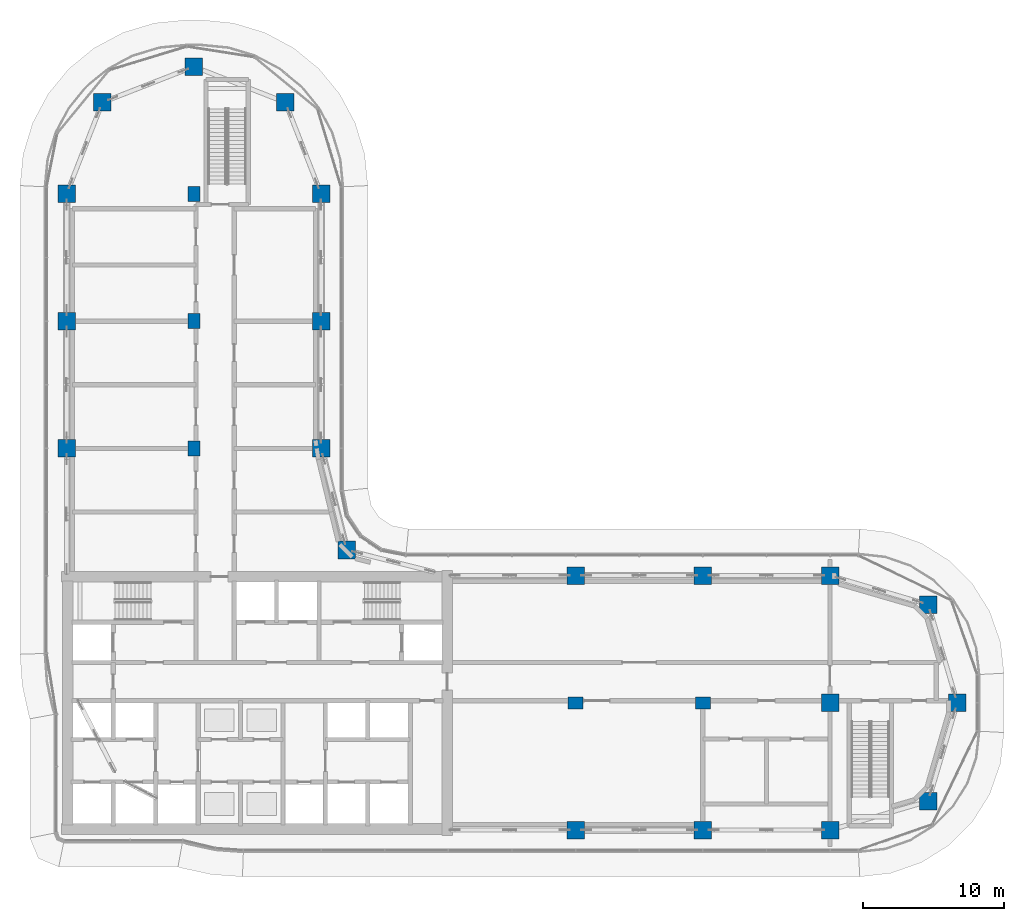
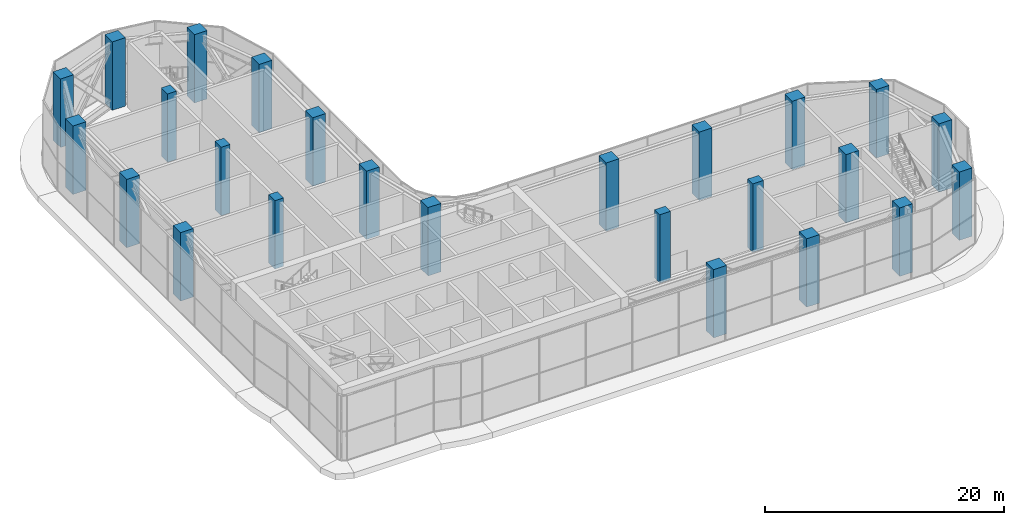
# One storey, part 1 of 35: 25 columns.
"""IFC4 building model written with IfcOpenShell, lengths in metres."""

import ifcopenshell
import ifcopenshell.guid

model = None  # the IFC model being written
_history = None  # IfcOwnerHistory: only IFC2X3 demands one
_inside = {}  # id of a spatial element -> (the spatial element, [elements in it])
_under = {}  # id of a project, library or spatial element -> (it, [spatial elements below it])
_declared = {}  # id of a project -> (the project, [libraries it declares])
_typed = {}  # id of a type object -> (the type object, [elements of that type])
_made_of = {}  # id of a material, layer set ... -> (it, [elements and type objects made of it])


def new_model(schema):
    """Start an empty IFC model of exactly this schema.

    Asked for "IFC4X3", IfcOpenShell would pick the latest addendum, in which some entities
    have other attributes; the version numbers below select the first issue.
    IFC2X3 requires an IfcOwnerHistory on every rooted entity: one is made here for all.
    """
    global model, _history
    if schema == "IFC4X3":
        model = ifcopenshell.file(schema_version=(4, 3, 0, 0))
    else:
        model = ifcopenshell.file(schema=schema)
    _inside.clear()
    _under.clear()
    _declared.clear()
    _typed.clear()
    _made_of.clear()
    _history = None
    if model.schema == "IFC2X3":
        org = make("IfcOrganization", Name="unknown")
        user = make(
            "IfcPersonAndOrganization",
            ThePerson=make("IfcPerson", FamilyName="unknown"),
            TheOrganization=org,
        )
        app = make(
            "IfcApplication",
            ApplicationDeveloper=org,
            Version="unknown",
            ApplicationFullName="unknown",
            ApplicationIdentifier="unknown",
        )
        _history = make(
            "IfcOwnerHistory",
            OwningUser=user,
            OwningApplication=app,
            ChangeAction="ADDED",
            CreationDate=0,
        )
    return model


def make(cls, **values):
    """One entity of the class cls with the attributes given. An attribute that is None is left unset."""
    return model.create_entity(
        cls, **{name: value for name, value in values.items() if value is not None}
    )


def rooted(cls, **values):
    """An entity with a GlobalId (a new one), such as an element, a storey or a relation."""
    return make(cls, GlobalId=ifcopenshell.guid.new(), OwnerHistory=_history, **values)


def si_unit(unit_type, name, prefix=None):
    """IfcSIUnit, for example si_unit("LENGTHUNIT", "METRE", prefix="MILLI")."""
    return make("IfcSIUnit", UnitType=unit_type, Prefix=prefix, Name=name)


def assignment(units):
    """IfcUnitAssignment: the units of a project."""
    return None if units is None else make("IfcUnitAssignment", Units=units)


def point(xyz):
    """IfcCartesianPoint."""
    return None if xyz is None else make("IfcCartesianPoint", Coordinates=xyz)


def direction(xyz):
    """IfcDirection."""
    return None if xyz is None else make("IfcDirection", DirectionRatios=xyz)


def frame(location, z_axis=None, x_axis=None):
    """IfcAxis2Placement3D, a coordinate frame: its origin and axes. An axis left out is left unset."""
    return make(
        "IfcAxis2Placement3D",
        Location=point(location),
        Axis=direction(z_axis),
        RefDirection=direction(x_axis),
    )


def frame_2d(location, x_axis=None):
    """IfcAxis2Placement2D, a coordinate frame in the plane: its origin and x axis."""
    return make(
        "IfcAxis2Placement2D", Location=point(location), RefDirection=direction(x_axis)
    )


def origin():
    """The frame at (0, 0, 0) with its axes left unset."""
    return frame((0.0, 0.0, 0.0))


def origin_2d():
    """The frame at (0, 0) in the plane with its x axis left unset."""
    return frame_2d((0.0, 0.0))


def place(relative_to, where):
    """IfcLocalPlacement: puts the frame where relative to a parent placement (None: the world)."""
    return make(
        "IfcLocalPlacement", PlacementRelTo=relative_to, RelativePlacement=where
    )


def context(
    kind, dimensions, precision=None, world=None, true_north=None, identifier=None
):
    """IfcGeometricRepresentationContext, for example the 3D "Model" context."""
    return make(
        "IfcGeometricRepresentationContext",
        ContextIdentifier=identifier,
        ContextType=kind,
        CoordinateSpaceDimension=dimensions,
        Precision=precision,
        WorldCoordinateSystem=world,
        TrueNorth=true_north,
    )


def subcontext(parent, identifier, kind, view, scale=None):
    """IfcGeometricRepresentationSubContext, for example "Body" below "Model"."""
    return make(
        "IfcGeometricRepresentationSubContext",
        ContextIdentifier=identifier,
        ContextType=kind,
        ParentContext=parent,
        TargetScale=scale,
        TargetView=view,
    )


def project(units=None, contexts=None):
    """IfcProject with its units and contexts."""
    return rooted(
        "IfcProject",
        Name="project",
        RepresentationContexts=contexts,
        UnitsInContext=assignment(units),
    )


def spatial(cls, under=None, at=None, **own):
    """A site, building, storey or space (cls), placed at a placement, below another one or the project."""
    s = rooted(cls, ObjectPlacement=at, **own)
    if under is not None:
        _under.setdefault(under.id(), (under, []))[1].append(s)
    return s


def profile(cls, at=None, kind="AREA", **sizes):
    """A parametric profile (cls). Its sizes go by their IFC names, for example OverallWidth=200.0."""
    return make(cls, ProfileType=kind, Position=at, **sizes)


def rectangle(**sizes):
    """IfcRectangleProfileDef."""
    return profile("IfcRectangleProfileDef", **sizes)


def extrude(swept, where, along, depth):
    """IfcExtrudedAreaSolid: the profile swept, set in the frame where, extruded along a direction by depth."""
    return make(
        "IfcExtrudedAreaSolid",
        SweptArea=swept,
        Position=where,
        ExtrudedDirection=direction(along),
        Depth=depth,
    )


def shape(context_of_items, identifier, shape_type, items):
    """IfcShapeRepresentation: the items that make up one representation, for example the "Body"."""
    return make(
        "IfcShapeRepresentation",
        ContextOfItems=context_of_items,
        RepresentationIdentifier=identifier,
        RepresentationType=shape_type,
        Items=items,
    )


def material(Name=None, Category=None):
    """IfcMaterial."""
    return make("IfcMaterial", Name=Name, Category=Category)


def material_profile(
    of_material, cross_section, Name=None, Category=None, Priority=None
):
    """IfcMaterialProfile: a cross section and its material."""
    return make(
        "IfcMaterialProfile",
        Name=Name,
        Material=of_material,
        Profile=cross_section,
        Priority=Priority,
        Category=Category,
    )


def profile_set(profiles, Name=None, composite=None):
    """IfcMaterialProfileSet."""
    return make(
        "IfcMaterialProfileSet",
        Name=Name,
        MaterialProfiles=profiles,
        CompositeProfile=composite,
    )


def made_of(thing, what):
    """Note that an element or type object is made of a material, layer set ...; save() writes the relation."""
    if what is not None:
        _made_of.setdefault(what.id(), (what, []))[1].append(thing)
    return thing


def type_object(cls, material=None, **own):
    """A type object (cls), such as IfcWallType, which elements share."""
    return made_of(rooted(cls, **own), material)


def element(
    cls,
    number,
    at=None,
    inside=None,
    cuts=None,
    type_object=None,
    material=None,
    context=None,
    identifier="Body",
    shape_type=None,
    held_by="IfcProductDefinitionShape",
    body=None,
    shapes=None,
    **own,
):
    """One element of the class cls, such as IfcWall. Its Tag is "e" and its number.

    at: its placement. inside: the storey or other place that contains it. cuts: it is an
    opening in that element (IfcRelVoidsElement). A single representation is given by context,
    identifier, shape_type and body (its items); several are given by shapes. held_by: the class
    of the entity that holds the representations. save() writes the other relations.
    """
    e = rooted(cls, Tag="e%d" % number, ObjectPlacement=at, **own)
    if body is not None:
        shapes = [shape(context, identifier, shape_type, body)]
    if shapes is not None:
        e.Representation = make(held_by, Representations=shapes)
    if inside is not None:
        _inside.setdefault(inside.id(), (inside, []))[1].append(e)
    if cuts is not None:
        rooted(
            "IfcRelVoidsElement", RelatingBuildingElement=cuts, RelatedOpeningElement=e
        )
    if type_object is not None:
        _typed.setdefault(type_object.id(), (type_object, []))[1].append(e)
    return made_of(e, material)


def aggregate(whole, parts):
    """IfcRelAggregates: a whole, such as a stair, and the parts it consists of."""
    return rooted("IfcRelAggregates", RelatingObject=whole, RelatedObjects=parts)


def save(model, path):
    """Write the relations noted so far, then the file.

    IfcRelAggregates (storeys below a building ...), IfcRelContainedInSpatialStructure (elements
    in a storey), IfcRelDefinesByType, IfcRelAssociatesMaterial and IfcRelDeclares: one each for
    every whole, place, type object, material and project.
    """
    for whole, parts in _under.values():
        aggregate(whole, parts)
    for where, things in _inside.values():
        rooted(
            "IfcRelContainedInSpatialStructure",
            RelatedElements=things,
            RelatingStructure=where,
        )
    for kind, things in _typed.values():
        rooted("IfcRelDefinesByType", RelatedObjects=things, RelatingType=kind)
    for what, things in _made_of.values():
        rooted("IfcRelAssociatesMaterial", RelatedObjects=things, RelatingMaterial=what)
    for by, libraries in _declared.values():
        rooted("IfcRelDeclares", RelatingContext=by, RelatedDefinitions=libraries)
    model.write(path)


model = new_model("IFC4")

# Units and contexts
model_context = context("Model", 3, precision=1e-05, world=origin(), true_north=direction((0.0, 1.0)))
body_context = subcontext(model_context, "Body", "Model", "MODEL_VIEW")
ifc_project = project(units=[si_unit("LENGTHUNIT", "METRE"), si_unit("AREAUNIT", "SQUARE_METRE"), si_unit("VOLUMEUNIT", "CUBIC_METRE"), si_unit("PLANEANGLEUNIT", "RADIAN"), si_unit("MASSUNIT", "GRAM", prefix="KILO")], contexts=[model_context])

# Site, building, storey
site_placement = place(None, origin())
site = spatial("IfcSite", under=ifc_project, at=site_placement, CompositionType="ELEMENT")
building_placement = place(site_placement, origin())
building = spatial("IfcBuilding", under=site, at=building_placement, Name="Ogive Portal Towers", CompositionType="ELEMENT")
storey_placement = place(building_placement, frame((0.0, 0.0, 135.199951171875)))
storey = spatial("IfcBuildingStorey", under=building, at=storey_placement, Name="L33", CompositionType="ELEMENT", Elevation=135.199951171875)

# Columns
ifc_material = material(Name="Concrete C60/75", Category="concrete")
ifc_material_profile_1 = material_profile(ifc_material, rectangle(XDim=1.050048828125, YDim=0.85009765625, at=origin_2d()), Name="RC 1050x850")
ifc_profile_set_1 = profile_set([ifc_material_profile_1], Name="Concrete C60/75")
column_type_1 = type_object("IfcColumnType", Name="COLUMN RC 1050x850", PredefinedType="COLUMN", material=ifc_profile_set_1)
for number, where, z_axis, x_axis, name in (
    (1, (67.5, 30.5, 0.0), (0.0, 0.0, 1.0), (1.0, 0.0, 0.0), "Column 5/B L33"),
    (2, (76.5, 30.5, 0.0), (0.0, 0.0, 1.0), (1.0, 0.0, 0.0), "Column 6/B L33"),
    (3, (40.5, 48.5, 0.0), (0.0, 0.0, 1.0), (0.0, 1.0, 0.0), "Column 2/D L33"),
    (4, (40.5, 57.5, 0.0), (0.0, 0.0, 1.0), (0.0, 1.0, 0.0), "Column 2/E L33"),
    (5, (40.5, 66.5, 0.0), (0.0, 0.0, 1.0), (0.0, 1.0, 0.0), "Column 2/F L33"),
):
    element("IfcColumn", number, at=place(storey_placement, frame(where, z_axis=z_axis, x_axis=x_axis)), inside=storey, type_object=column_type_1, Name=name, PredefinedType="COLUMN", context=body_context, shape_type="SweptSolid", body=[
        extrude(rectangle(XDim=1.050048828125, YDim=0.85009765625, at=origin_2d()), origin(), (0.0, 0.0, 1.0), 7.0),
    ])
ifc_material_profile_2 = material_profile(ifc_material, rectangle(XDim=1.25, YDim=1.25, at=origin_2d()), Name="RC 1250x1250")
ifc_profile_set_2 = profile_set([ifc_material_profile_2], Name="Concrete C60/75")
column_type_2 = type_object("IfcColumnType", Name="COLUMN RC 1250x1250", PredefinedType="COLUMN", material=ifc_profile_set_2)
for number, where, z_axis, x_axis, name in (
    (6, (67.5, 21.5, 0.0), (0.0, 0.0, 1.0), (1.0, 0.0, 0.0), "Column 5/A L33"),
    (7, (76.5, 21.5, 0.0), (0.0, 0.0, 1.0), (1.0, 0.0, 0.0), "Column 6/A L33"),
    (8, (85.5, 21.5, 0.0), (0.0, 0.0, 1.0), (1.0, 0.0, 0.0), "Column 7/A L33"),
    (9, (92.449951171875, 23.550048828125, 0.0), (0.0, 0.0, 1.0), (1.0, 0.0, 0.0), "Column L33"),
    (10, (85.5, 30.5, 0.0), (0.0, 0.0, 1.0), (1.0, 0.0, 0.0), "Column 7/B L33"),
    (11, (94.5, 30.5, 0.0), (0.0, 0.0, 1.0), (1.0, 0.0, 0.0), "Column 8/B L33"),
    (12, (92.449951171875, 37.449951171875, 0.0), (0.0, 0.0, 1.0), (1.0, 0.0, 0.0), "Column L33"),
    (13, (67.5, 39.5, 0.0), (0.0, 0.0, 1.0), (1.0, 0.0, 0.0), "Column 5/C L33"),
    (14, (76.5, 39.5, 0.0), (0.0, 0.0, 1.0), (1.0, 0.0, 0.0), "Column 6/C L33"),
    (15, (85.5, 39.5, 0.0), (0.0, 0.0, 1.0), (1.0, 0.0, 0.0), "Column 7/C L33"),
    (16, (51.31005859375, 41.31005859375, 0.0), (0.0, 0.0, 1.0), (1.0, 0.0, 0.0), "Column L33"),
    (17, (31.5, 48.5, 0.0), (0.0, 0.0, 1.0), (1.0, 0.0, 0.0), "Column 1/D L33"),
    (18, (49.5, 48.5, 0.0), (0.0, 0.0, 1.0), (1.0, 0.0, 0.0), "Column 3/D L33"),
    (19, (31.5, 57.5, 0.0), (0.0, 0.0, 1.0), (1.0, 0.0, 0.0), "Column 1/E L33"),
    (20, (49.5, 57.5, 0.0), (0.0, 0.0, 1.0), (1.0, 0.0, 0.0), "Column 3/E L33"),
    (21, (31.5, 66.5, 0.0), (0.0, 0.0, 1.0), (1.0, 0.0, 0.0), "Column 1/F L33"),
    (22, (49.5, 66.5, 0.0), (0.0, 0.0, 1.0), (1.0, 0.0, 0.0), "Column 3/F L33"),
    (23, (34.027099609375, 72.972900390625, 0.0), (0.0, 0.0, 1.0), (1.0, 0.0, 0.0), "Column L33"),
    (24, (46.972900390625, 72.972900390625, 0.0), (0.0, 0.0, 1.0), (1.0, 0.0, 0.0), "Column L33"),
    (25, (40.5, 75.5, 0.0), (0.0, 0.0, 1.0), (1.0, 0.0, 0.0), "Column 2/G L33"),
):
    element("IfcColumn", number, at=place(storey_placement, frame(where, z_axis=z_axis, x_axis=x_axis)), inside=storey, type_object=column_type_2, Name=name, PredefinedType="COLUMN", context=body_context, shape_type="SweptSolid", body=[
        extrude(rectangle(XDim=1.25, YDim=1.25, at=origin_2d()), origin(), (0.0, 0.0, 1.0), 7.0),
    ])

save(model, "model.ifc")
